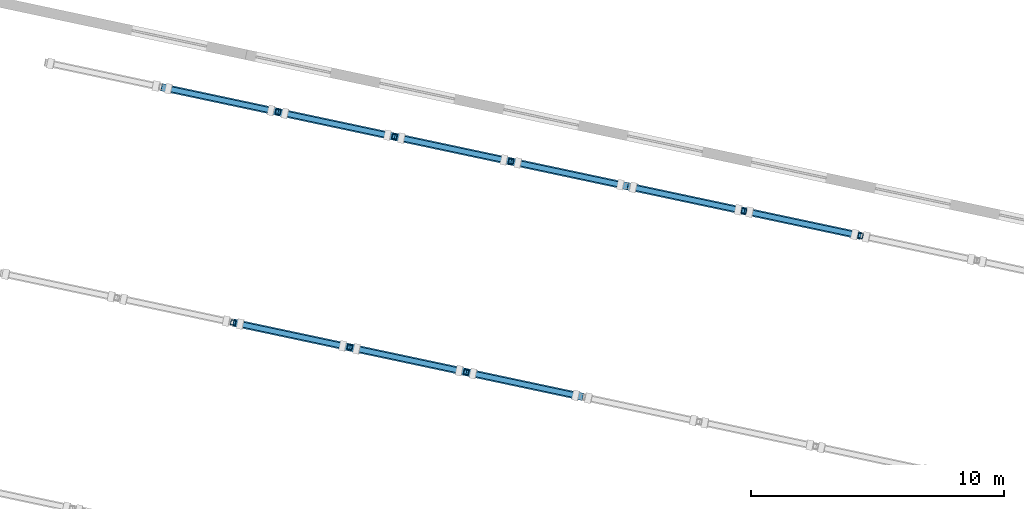
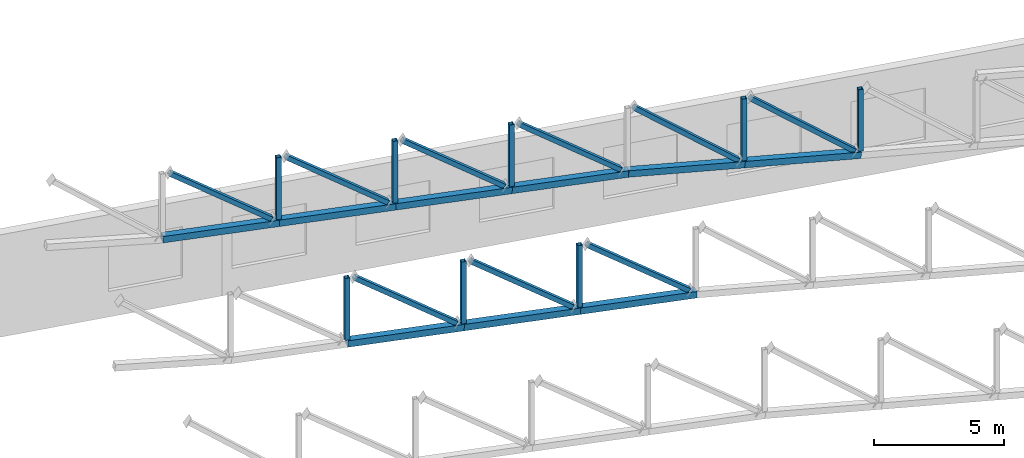
# One storey, part 69 of 182: 26 members.
"""IFC4 building model written with IfcOpenShell, lengths in metres."""

from ifc_helpers import new_model, si_unit, direction, frame, origin, origin_2d, place, context, subcontext, project, spatial, hollow_rectangle, extrude, material, material_profile, profile_set, type_object, element, save


model = new_model("IFC4")

# Units and contexts
model_context = context("Model", 3, precision=1e-05, world=origin(), true_north=direction((0.0, 1.0)))
body_context = subcontext(model_context, "Body", "Model", "MODEL_VIEW")
ifc_project = project(units=[si_unit("LENGTHUNIT", "METRE"), si_unit("AREAUNIT", "SQUARE_METRE"), si_unit("VOLUMEUNIT", "CUBIC_METRE"), si_unit("PLANEANGLEUNIT", "RADIAN"), si_unit("MASSUNIT", "GRAM", prefix="KILO")], contexts=[model_context])

# Site, building, storey
site_placement = place(None, origin())
site = spatial("IfcSite", under=ifc_project, at=site_placement, CompositionType="ELEMENT")
building_placement = place(site_placement, origin())
building = spatial("IfcBuilding", under=site, at=building_placement, Name="Okhra Congress Centre", CompositionType="ELEMENT")
storey_placement = place(building_placement, frame((0.0, 0.0, 7.199951171875)))
storey = spatial("IfcBuildingStorey", under=building, at=storey_placement, Name="L01", CompositionType="ELEMENT", Elevation=7.199951171875)

# Members
ifc_material = material(Name="Steel S355J2", Category="steel")
ifc_material_profile_1 = material_profile(ifc_material, hollow_rectangle(XDim=0.300048828125, YDim=0.300048828125, WallThickness=0.01611328125, at=origin_2d()), Name="RHS 300x300x16")
ifc_profile_set_1 = profile_set([ifc_material_profile_1], Name="Steel S355J2")
member_type_1 = type_object("IfcMemberType", Name="Steel truss chord RHS 300x300x16", PredefinedType="CHORD", material=ifc_profile_set_1)
member_1_placement = place(storey_placement, frame((230.005126953125, 124.04541015625, 4.29736328125), z_axis=(0.976803265923, -0.207643963331, -0.052338935549), x_axis=(0.207928955205, 0.978143930916, 0.0)))
element("IfcMember", 1, at=member_1_placement, inside=storey, type_object=member_type_1, Name="Hall truss 5 bottom chord 6", PredefinedType="CHORD", context=body_context, shape_type="SweptSolid", body=[
    extrude(hollow_rectangle(XDim=0.300048828125, YDim=0.300048828125, WallThickness=0.01611328125, at=origin_2d()), origin(), (0.0, 0.0, 1.0), 4.70654296875),
])
member_2_placement = place(storey_placement, frame((234.6025390625, 123.068115234375, 4.051025390625), z_axis=(0.9768114081, -0.207604846267, -0.052342151395), x_axis=(0.20788981954, 0.978152249362, 0.0)))
element("IfcMember", 2, at=member_2_placement, inside=storey, type_object=member_type_1, Name="Hall truss 5 bottom chord 7", PredefinedType="CHORD", context=body_context, shape_type="SweptSolid", body=[
    extrude(hollow_rectangle(XDim=0.300048828125, YDim=0.300048828125, WallThickness=0.01611328125, at=origin_2d()), origin(), (0.0, 0.0, 1.0), 4.706298828125),
])
for number, where, z_axis, x_axis, name in (
    (3, (239.19970703125, 122.091064453125, 3.8046875), (0.976803265923, -0.207643963331, -0.052338935549), (0.207928955205, 0.978143930916, 0.0), "Hall truss 5 bottom chord 8"),
    (4, (227.175048828125, 133.336669921875, 4.543701171875), (0.976813785854, -0.20759432696, -0.052339499226), (0.207879256857, 0.978154494223, 0.0), "Hall truss 6 bottom chord 5"),
):
    element("IfcMember", number, at=place(storey_placement, frame(where, z_axis=z_axis, x_axis=x_axis)), inside=storey, type_object=member_type_1, Name=name, PredefinedType="CHORD", context=body_context, shape_type="SweptSolid", body=[
        extrude(hollow_rectangle(XDim=0.300048828125, YDim=0.300048828125, WallThickness=0.01611328125, at=origin_2d()), origin(), (0.0, 0.0, 1.0), 4.70654296875),
    ])
member_3_placement = place(storey_placement, frame((231.7724609375, 132.359619140625, 4.29736328125), z_axis=(0.976800887128, -0.207654484927, -0.052341587632), x_axis=(0.207939520185, 0.978141685005, 0.0)))
element("IfcMember", 5, at=member_3_placement, inside=storey, type_object=member_type_1, Name="Hall truss 6 bottom chord 6", PredefinedType="CHORD", context=body_context, shape_type="SweptSolid", body=[
    extrude(hollow_rectangle(XDim=0.300048828125, YDim=0.300048828125, WallThickness=0.01611328125, at=origin_2d()), origin(), (0.0, 0.0, 1.0), 4.706298828125),
])
member_4_placement = place(storey_placement, frame((236.36962890625, 131.38232421875, 4.051025390625), z_axis=(0.976813785854, -0.20759432696, -0.052339499226), x_axis=(0.207879256857, 0.978154494223, 0.0)))
element("IfcMember", 6, at=member_4_placement, inside=storey, type_object=member_type_1, Name="Hall truss 6 bottom chord 7", PredefinedType="CHORD", context=body_context, shape_type="SweptSolid", body=[
    extrude(hollow_rectangle(XDim=0.300048828125, YDim=0.300048828125, WallThickness=0.01611328125, at=origin_2d()), origin(), (0.0, 0.0, 1.0), 4.70654296875),
])
member_5_placement = place(storey_placement, frame((240.967041015625, 130.4052734375, 3.8046875), z_axis=(0.976800887128, -0.207654484927, -0.052341587632), x_axis=(0.207939520185, 0.978141685005, 0.0)))
element("IfcMember", 7, at=member_5_placement, inside=storey, type_object=member_type_1, Name="Hall truss 6 bottom chord 8", PredefinedType="CHORD", context=body_context, shape_type="SweptSolid", body=[
    extrude(hollow_rectangle(XDim=0.300048828125, YDim=0.300048828125, WallThickness=0.01611328125, at=origin_2d()), origin(), (0.0, 0.0, 1.0), 4.706298828125),
])
member_6_placement = place(storey_placement, frame((245.564208984375, 129.427978515625, 3.558349609375), z_axis=(0.970862224409, -0.206329489782, -0.121879788567), x_axis=(0.207879256857, 0.978154494223, 0.0)))
element("IfcMember", 8, at=member_6_placement, inside=storey, type_object=member_type_1, Name="Hall truss 6 bottom chord 9", PredefinedType="CHORD", context=body_context, shape_type="SweptSolid", body=[
    extrude(hollow_rectangle(XDim=0.300048828125, YDim=0.300048828125, WallThickness=0.01611328125, at=origin_2d()), origin(), (0.0, 0.0, 1.0), 4.7353515625),
])
member_7_placement = place(storey_placement, frame((250.16162109375, 128.450927734375, 2.981201171875), z_axis=(0.970855033432, -0.206390477898, -0.121833799469), x_axis=(0.207939520185, 0.978141685005, 0.0)))
element("IfcMember", 9, at=member_7_placement, inside=storey, type_object=member_type_1, Name="Hall truss 6 bottom chord 10", PredefinedType="CHORD", context=body_context, shape_type="SweptSolid", body=[
    extrude(hollow_rectangle(XDim=0.300048828125, YDim=0.300048828125, WallThickness=0.01611328125, at=origin_2d()), origin(), (0.0, 0.0, 1.0), 4.735107421875),
])
ifc_material_profile_2 = material_profile(ifc_material, hollow_rectangle(XDim=0.199951171875, YDim=0.199951171875, WallThickness=0.010009765625, at=origin_2d()), Name="RHS 200x200x10 diagonal")
ifc_profile_set_2 = profile_set([ifc_material_profile_2], Name="Steel S355J2")
member_type_2 = type_object("IfcMemberType", Name="Steel truss diagonal RHS 200x200x10", PredefinedType="BRACE", material=ifc_profile_set_2)
member_8_placement = place(storey_placement, frame((230.288818359375, 123.985107421875, 7.284912109375), z_axis=(0.788793721187, -0.167678994829, -0.591344417501), x_axis=(0.207930334102, 0.978143637796, 0.0)))
element("IfcMember", 10, at=member_8_placement, inside=storey, type_object=member_type_2, Name="Hall truss 5 diagonal 6", PredefinedType="BRACE", context=body_context, shape_type="SweptSolid", body=[
    extrude(hollow_rectangle(XDim=0.199951171875, YDim=0.199951171875, WallThickness=0.010009765625, at=origin_2d()), origin(), (0.0, 0.0, 1.0), 5.109130859375),
])
member_9_placement = place(storey_placement, frame((234.885986328125, 123.0078125, 7.03857421875), z_axis=(0.788811773706, -0.167672674699, -0.591322128642), x_axis=(0.2079182829, 0.97814619952, 0.0)))
element("IfcMember", 11, at=member_9_placement, inside=storey, type_object=member_type_2, Name="Hall truss 5 diagonal 7", PredefinedType="BRACE", context=body_context, shape_type="SweptSolid", body=[
    extrude(hollow_rectangle(XDim=0.199951171875, YDim=0.199951171875, WallThickness=0.010009765625, at=origin_2d()), origin(), (0.0, 0.0, 1.0), 5.109375),
])
member_10_placement = place(storey_placement, frame((239.4833984375, 122.03076171875, 6.792236328125), z_axis=(0.788793721187, -0.167678994829, -0.591344417501), x_axis=(0.207930334102, 0.978143637796, 0.0)))
element("IfcMember", 12, at=member_10_placement, inside=storey, type_object=member_type_2, Name="Hall truss 5 diagonal 8", PredefinedType="BRACE", context=body_context, shape_type="SweptSolid", body=[
    extrude(hollow_rectangle(XDim=0.199951171875, YDim=0.199951171875, WallThickness=0.010009765625, at=origin_2d()), origin(), (0.0, 0.0, 1.0), 5.109130859375),
])
member_11_placement = place(storey_placement, frame((227.458740234375, 133.2763671875, 7.531005859375), z_axis=(0.788822330682, -0.167637289394, -0.591318078382), x_axis=(0.207873638708, 0.978155688186, 0.0)))
element("IfcMember", 13, at=member_11_placement, inside=storey, type_object=member_type_2, Name="Hall truss 6 diagonal 5", PredefinedType="BRACE", context=body_context, shape_type="SweptSolid", body=[
    extrude(hollow_rectangle(XDim=0.199951171875, YDim=0.199951171875, WallThickness=0.010009765625, at=origin_2d()), origin(), (0.0, 0.0, 1.0), 5.10888671875),
])
member_12_placement = place(storey_placement, frame((232.055908203125, 132.29931640625, 7.284912109375), z_axis=(0.788811773706, -0.167672674699, -0.591322128642), x_axis=(0.2079182829, 0.97814619952, 0.0)))
element("IfcMember", 14, at=member_12_placement, inside=storey, type_object=member_type_2, Name="Hall truss 6 diagonal 6", PredefinedType="BRACE", context=body_context, shape_type="SweptSolid", body=[
    extrude(hollow_rectangle(XDim=0.199951171875, YDim=0.199951171875, WallThickness=0.010009765625, at=origin_2d()), origin(), (0.0, 0.0, 1.0), 5.109375),
])
member_13_placement = place(storey_placement, frame((236.6533203125, 131.322021484375, 7.03857421875), z_axis=(0.788800040658, -0.16763255241, -0.591349155094), x_axis=(0.207873638708, 0.978155688186, 0.0)))
element("IfcMember", 15, at=member_13_placement, inside=storey, type_object=member_type_2, Name="Hall truss 6 diagonal 7", PredefinedType="BRACE", context=body_context, shape_type="SweptSolid", body=[
    extrude(hollow_rectangle(XDim=0.199951171875, YDim=0.199951171875, WallThickness=0.010009765625, at=origin_2d()), origin(), (0.0, 0.0, 1.0), 5.109130859375),
])
member_14_placement = place(storey_placement, frame((241.25048828125, 130.344970703125, 6.792236328125), z_axis=(0.788811773706, -0.167672674699, -0.591322128642), x_axis=(0.2079182829, 0.97814619952, 0.0)))
element("IfcMember", 16, at=member_14_placement, inside=storey, type_object=member_type_2, Name="Hall truss 6 diagonal 8", PredefinedType="BRACE", context=body_context, shape_type="SweptSolid", body=[
    extrude(hollow_rectangle(XDim=0.199951171875, YDim=0.199951171875, WallThickness=0.010009765625, at=origin_2d()), origin(), (0.0, 0.0, 1.0), 5.109375),
])
for number, where, z_axis, x_axis, name in (
    (17, (245.798095703125, 129.37841796875, 6.56640625), (0.762429939898, -0.162086790652, -0.626441105806), (0.207945205612, 0.978140476344, 0.0), "Hall truss 6 diagonal 9"),
    (18, (250.395263671875, 128.401123046875, 5.9892578125), (0.762454380818, -0.162037331464, -0.626424153736), (0.207878119852, 0.978154735861, 0.0), "Hall truss 6 diagonal 10"),
):
    element("IfcMember", number, at=place(storey_placement, frame(where, z_axis=z_axis, x_axis=x_axis)), inside=storey, type_object=member_type_2, Name=name, PredefinedType="BRACE", context=body_context, shape_type="SweptSolid", body=[
        extrude(hollow_rectangle(XDim=0.199951171875, YDim=0.199951171875, WallThickness=0.010009765625, at=origin_2d()), origin(), (0.0, 0.0, 1.0), 5.41650390625),
    ])
ifc_material_profile_3 = material_profile(ifc_material, hollow_rectangle(XDim=0.199951171875, YDim=0.199951171875, WallThickness=0.010009765625, at=origin_2d()), Name="RHS 200x200x10")
ifc_profile_set_3 = profile_set([ifc_material_profile_3], Name="Steel S355J2")
member_type_3 = type_object("IfcMemberType", Name="Steel truss post RHS 200x200x10", PredefinedType="POST", material=ifc_profile_set_3)
for number, where, z_axis, x_axis, name in (
    (19, (230.005126953125, 124.04541015625, 4.447509765625), (0.0, 0.0, 1.0), (0.978147600734, -0.207911690818, 0.0), "Hall truss 5 post 6"),
    (20, (234.6025390625, 123.068115234375, 4.201171875), (0.0, 0.0, 1.0), (0.978147600734, -0.207911690818, 0.0), "Hall truss 5 post 7"),
    (21, (239.19970703125, 122.091064453125, 3.954833984375), (0.0, 0.0, 1.0), (0.978147600734, -0.207911690818, 0.0), "Hall truss 5 post 8"),
    (22, (231.7724609375, 132.359619140625, 4.447509765625), (0.0, 0.0, 1.0), (0.978147600734, -0.207911690818, 0.0), "Hall truss 6 post 6"),
    (23, (236.36962890625, 131.38232421875, 4.201171875), (0.0, 0.0, 1.0), (0.978147600734, -0.207911690818, 0.0), "Hall truss 6 post 7"),
    (24, (240.967041015625, 130.4052734375, 3.954833984375), (0.0, 0.0, 1.0), (0.978147600734, -0.207911690818, 0.0), "Hall truss 6 post 8"),
):
    element("IfcMember", number, at=place(storey_placement, frame(where, z_axis=z_axis, x_axis=x_axis)), inside=storey, type_object=member_type_3, Name=name, PredefinedType="POST", context=body_context, shape_type="SweptSolid", body=[
        extrude(hollow_rectangle(XDim=0.199951171875, YDim=0.199951171875, WallThickness=0.010009765625, at=origin_2d()), origin(), (0.0, 0.0, 1.0), 2.899658203125),
    ])
member_15_placement = place(storey_placement, frame((250.16162109375, 128.450927734375, 3.13232421875), z_axis=(0.0, 0.0, 1.0), x_axis=(0.978147600734, -0.207911690818, 0.0)))
element("IfcMember", 25, at=member_15_placement, inside=storey, type_object=member_type_3, Name="Hall truss 6 post 10", PredefinedType="POST", context=body_context, shape_type="SweptSolid", body=[
    extrude(hollow_rectangle(XDim=0.199951171875, YDim=0.199951171875, WallThickness=0.010009765625, at=origin_2d()), origin(), (0.0, 0.0, 1.0), 2.89794921875),
])
member_16_placement = place(storey_placement, frame((254.7587890625, 127.4736328125, 2.555419921875), z_axis=(0.0, 0.0, 1.0), x_axis=(0.978147600734, -0.207911690818, 0.0)))
element("IfcMember", 26, at=member_16_placement, inside=storey, type_object=member_type_3, Name="Hall truss 6 post 11", PredefinedType="POST", context=body_context, shape_type="SweptSolid", body=[
    extrude(hollow_rectangle(XDim=0.199951171875, YDim=0.199951171875, WallThickness=0.010009765625, at=origin_2d()), origin(), (0.0, 0.0, 1.0), 2.897705078125),
])

save(model, "model.ifc")
